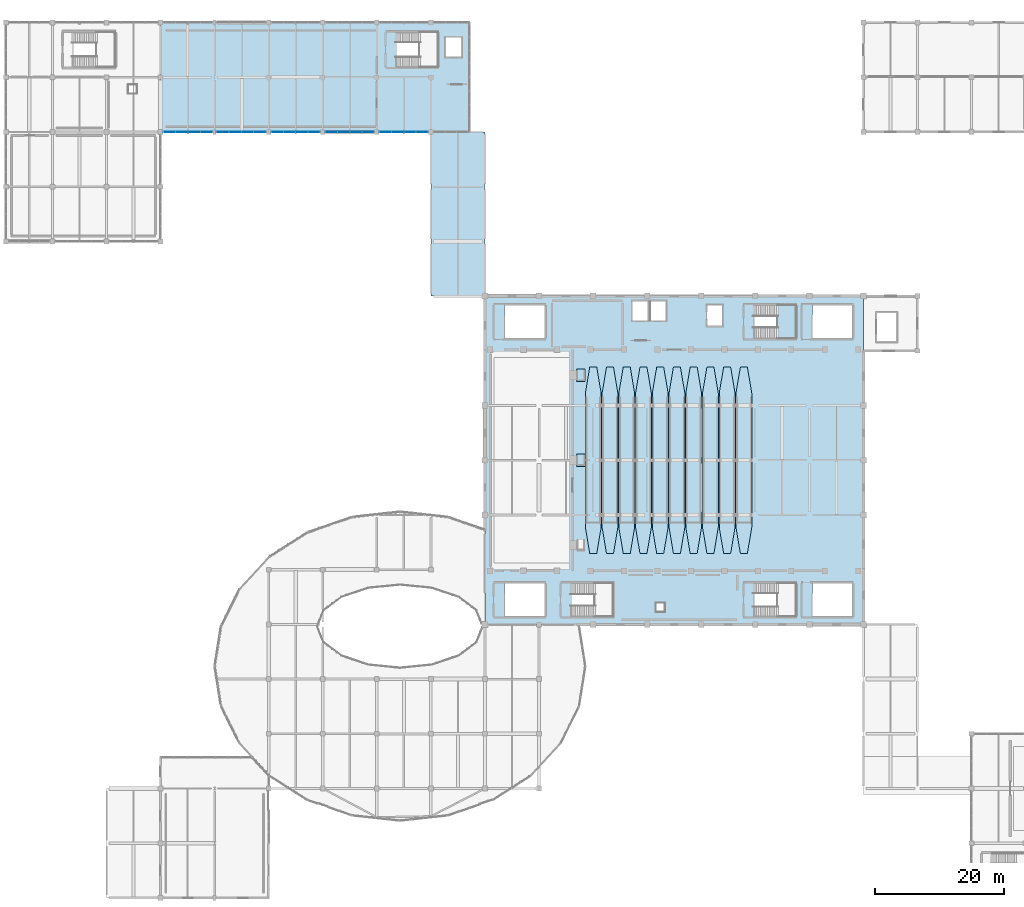
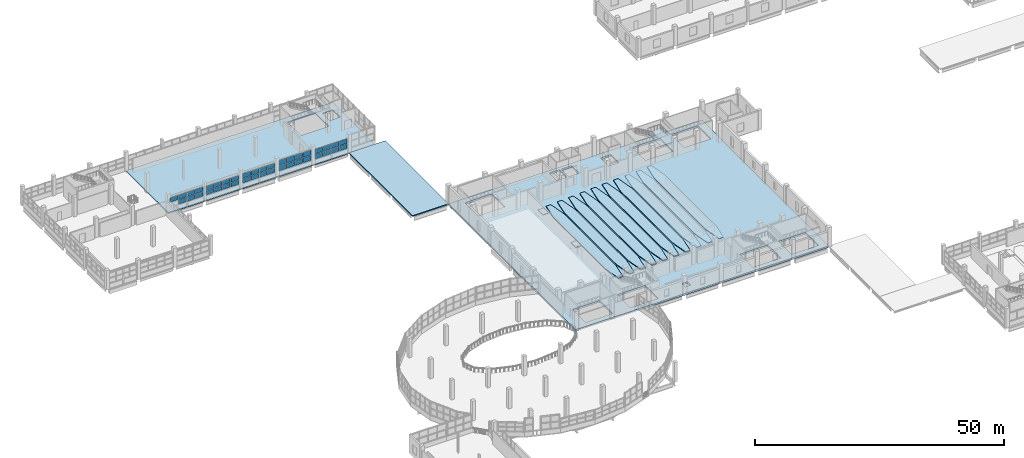
# One storey, part 89 of 117: 39 plates, 16 slabs, 6 elements without a shape of their own.
"""IFC4 building model written with IfcOpenShell, lengths in metres."""

import ifcopenshell
import ifcopenshell.guid

model = None  # the IFC model being written
_history = None  # IfcOwnerHistory: only IFC2X3 demands one
_inside = {}  # id of a spatial element -> (the spatial element, [elements in it])
_under = {}  # id of a project, library or spatial element -> (it, [spatial elements below it])
_declared = {}  # id of a project -> (the project, [libraries it declares])
_typed = {}  # id of a type object -> (the type object, [elements of that type])
_made_of = {}  # id of a material, layer set ... -> (it, [elements and type objects made of it])


def new_model(schema):
    """Start an empty IFC model of exactly this schema.

    Asked for "IFC4X3", IfcOpenShell would pick the latest addendum, in which some entities
    have other attributes; the version numbers below select the first issue.
    IFC2X3 requires an IfcOwnerHistory on every rooted entity: one is made here for all.
    """
    global model, _history
    if schema == "IFC4X3":
        model = ifcopenshell.file(schema_version=(4, 3, 0, 0))
    else:
        model = ifcopenshell.file(schema=schema)
    _inside.clear()
    _under.clear()
    _declared.clear()
    _typed.clear()
    _made_of.clear()
    _history = None
    if model.schema == "IFC2X3":
        org = make("IfcOrganization", Name="unknown")
        user = make(
            "IfcPersonAndOrganization",
            ThePerson=make("IfcPerson", FamilyName="unknown"),
            TheOrganization=org,
        )
        app = make(
            "IfcApplication",
            ApplicationDeveloper=org,
            Version="unknown",
            ApplicationFullName="unknown",
            ApplicationIdentifier="unknown",
        )
        _history = make(
            "IfcOwnerHistory",
            OwningUser=user,
            OwningApplication=app,
            ChangeAction="ADDED",
            CreationDate=0,
        )
    return model


def make(cls, **values):
    """One entity of the class cls with the attributes given. An attribute that is None is left unset."""
    return model.create_entity(
        cls, **{name: value for name, value in values.items() if value is not None}
    )


def rooted(cls, **values):
    """An entity with a GlobalId (a new one), such as an element, a storey or a relation."""
    return make(cls, GlobalId=ifcopenshell.guid.new(), OwnerHistory=_history, **values)


def si_unit(unit_type, name, prefix=None):
    """IfcSIUnit, for example si_unit("LENGTHUNIT", "METRE", prefix="MILLI")."""
    return make("IfcSIUnit", UnitType=unit_type, Prefix=prefix, Name=name)


def assignment(units):
    """IfcUnitAssignment: the units of a project."""
    return None if units is None else make("IfcUnitAssignment", Units=units)


def point(xyz):
    """IfcCartesianPoint."""
    return None if xyz is None else make("IfcCartesianPoint", Coordinates=xyz)


def direction(xyz):
    """IfcDirection."""
    return None if xyz is None else make("IfcDirection", DirectionRatios=xyz)


def frame(location, z_axis=None, x_axis=None):
    """IfcAxis2Placement3D, a coordinate frame: its origin and axes. An axis left out is left unset."""
    return make(
        "IfcAxis2Placement3D",
        Location=point(location),
        Axis=direction(z_axis),
        RefDirection=direction(x_axis),
    )


def frame_2d(location, x_axis=None):
    """IfcAxis2Placement2D, a coordinate frame in the plane: its origin and x axis."""
    return make(
        "IfcAxis2Placement2D", Location=point(location), RefDirection=direction(x_axis)
    )


def origin():
    """The frame at (0, 0, 0) with its axes left unset."""
    return frame((0.0, 0.0, 0.0))


def origin_2d():
    """The frame at (0, 0) in the plane with its x axis left unset."""
    return frame_2d((0.0, 0.0))


def place(relative_to, where):
    """IfcLocalPlacement: puts the frame where relative to a parent placement (None: the world)."""
    return make(
        "IfcLocalPlacement", PlacementRelTo=relative_to, RelativePlacement=where
    )


def context(
    kind, dimensions, precision=None, world=None, true_north=None, identifier=None
):
    """IfcGeometricRepresentationContext, for example the 3D "Model" context."""
    return make(
        "IfcGeometricRepresentationContext",
        ContextIdentifier=identifier,
        ContextType=kind,
        CoordinateSpaceDimension=dimensions,
        Precision=precision,
        WorldCoordinateSystem=world,
        TrueNorth=true_north,
    )


def subcontext(parent, identifier, kind, view, scale=None):
    """IfcGeometricRepresentationSubContext, for example "Body" below "Model"."""
    return make(
        "IfcGeometricRepresentationSubContext",
        ContextIdentifier=identifier,
        ContextType=kind,
        ParentContext=parent,
        TargetScale=scale,
        TargetView=view,
    )


def project(units=None, contexts=None):
    """IfcProject with its units and contexts."""
    return rooted(
        "IfcProject",
        Name="project",
        RepresentationContexts=contexts,
        UnitsInContext=assignment(units),
    )


def spatial(cls, under=None, at=None, **own):
    """A site, building, storey or space (cls), placed at a placement, below another one or the project."""
    s = rooted(cls, ObjectPlacement=at, **own)
    if under is not None:
        _under.setdefault(under.id(), (under, []))[1].append(s)
    return s


def polyline(points):
    """IfcPolyline through the points."""
    return make("IfcPolyline", Points=[point(p) for p in points])


def profile(cls, at=None, kind="AREA", **sizes):
    """A parametric profile (cls). Its sizes go by their IFC names, for example OverallWidth=200.0."""
    return make(cls, ProfileType=kind, Position=at, **sizes)


def rectangle(**sizes):
    """IfcRectangleProfileDef."""
    return profile("IfcRectangleProfileDef", **sizes)


def outline(outer, holes=None, kind="AREA"):
    """IfcArbitraryClosedProfileDef: a profile drawn as a closed curve; with holes, ...WithVoids."""
    if holes is None:
        return make("IfcArbitraryClosedProfileDef", ProfileType=kind, OuterCurve=outer)
    return make(
        "IfcArbitraryProfileDefWithVoids",
        ProfileType=kind,
        OuterCurve=outer,
        InnerCurves=holes,
    )


def extrude(swept, where, along, depth):
    """IfcExtrudedAreaSolid: the profile swept, set in the frame where, extruded along a direction by depth."""
    return make(
        "IfcExtrudedAreaSolid",
        SweptArea=swept,
        Position=where,
        ExtrudedDirection=direction(along),
        Depth=depth,
    )


def shape(context_of_items, identifier, shape_type, items):
    """IfcShapeRepresentation: the items that make up one representation, for example the "Body"."""
    return make(
        "IfcShapeRepresentation",
        ContextOfItems=context_of_items,
        RepresentationIdentifier=identifier,
        RepresentationType=shape_type,
        Items=items,
    )


def material(Name=None, Category=None):
    """IfcMaterial."""
    return make("IfcMaterial", Name=Name, Category=Category)


def layer(
    of_material, thickness, ventilated=None, Name=None, Category=None, Priority=None
):
    """IfcMaterialLayer: one layer of a wall or slab, of a material (None: an air gap)."""
    return make(
        "IfcMaterialLayer",
        Material=of_material,
        LayerThickness=thickness,
        IsVentilated=ventilated,
        Name=Name,
        Category=Category,
        Priority=Priority,
    )


def layer_set(layers, Name=None):
    """IfcMaterialLayerSet."""
    return make("IfcMaterialLayerSet", MaterialLayers=layers, LayerSetName=Name)


def made_of(thing, what):
    """Note that an element or type object is made of a material, layer set ...; save() writes the relation."""
    if what is not None:
        _made_of.setdefault(what.id(), (what, []))[1].append(thing)
    return thing


def type_object(cls, material=None, **own):
    """A type object (cls), such as IfcWallType, which elements share."""
    return made_of(rooted(cls, **own), material)


def element(
    cls,
    number,
    at=None,
    inside=None,
    cuts=None,
    type_object=None,
    material=None,
    context=None,
    identifier="Body",
    shape_type=None,
    held_by="IfcProductDefinitionShape",
    body=None,
    shapes=None,
    **own,
):
    """One element of the class cls, such as IfcWall. Its Tag is "e" and its number.

    at: its placement. inside: the storey or other place that contains it. cuts: it is an
    opening in that element (IfcRelVoidsElement). A single representation is given by context,
    identifier, shape_type and body (its items); several are given by shapes. held_by: the class
    of the entity that holds the representations. save() writes the other relations.
    """
    e = rooted(cls, Tag="e%d" % number, ObjectPlacement=at, **own)
    if body is not None:
        shapes = [shape(context, identifier, shape_type, body)]
    if shapes is not None:
        e.Representation = make(held_by, Representations=shapes)
    if inside is not None:
        _inside.setdefault(inside.id(), (inside, []))[1].append(e)
    if cuts is not None:
        rooted(
            "IfcRelVoidsElement", RelatingBuildingElement=cuts, RelatedOpeningElement=e
        )
    if type_object is not None:
        _typed.setdefault(type_object.id(), (type_object, []))[1].append(e)
    return made_of(e, material)


def aggregate(whole, parts):
    """IfcRelAggregates: a whole, such as a stair, and the parts it consists of."""
    return rooted("IfcRelAggregates", RelatingObject=whole, RelatedObjects=parts)


def save(model, path):
    """Write the relations noted so far, then the file.

    IfcRelAggregates (storeys below a building ...), IfcRelContainedInSpatialStructure (elements
    in a storey), IfcRelDefinesByType, IfcRelAssociatesMaterial and IfcRelDeclares: one each for
    every whole, place, type object, material and project.
    """
    for whole, parts in _under.values():
        aggregate(whole, parts)
    for where, things in _inside.values():
        rooted(
            "IfcRelContainedInSpatialStructure",
            RelatedElements=things,
            RelatingStructure=where,
        )
    for kind, things in _typed.values():
        rooted("IfcRelDefinesByType", RelatedObjects=things, RelatingType=kind)
    for what, things in _made_of.values():
        rooted("IfcRelAssociatesMaterial", RelatedObjects=things, RelatingMaterial=what)
    for by, libraries in _declared.values():
        rooted("IfcRelDeclares", RelatingContext=by, RelatedDefinitions=libraries)
    model.write(path)


model = new_model("IFC4")

# Units and contexts
model_context = context("Model", 3, precision=1e-05, world=origin(), true_north=direction((0.0, 1.0)))
body_context = subcontext(model_context, "Body", "Model", "MODEL_VIEW")
ifc_project = project(units=[si_unit("LENGTHUNIT", "METRE"), si_unit("AREAUNIT", "SQUARE_METRE"), si_unit("VOLUMEUNIT", "CUBIC_METRE"), si_unit("PLANEANGLEUNIT", "RADIAN"), si_unit("MASSUNIT", "GRAM", prefix="KILO")], contexts=[model_context])

# Site, building, storey
site_placement = place(None, origin())
site = spatial("IfcSite", under=ifc_project, at=site_placement, CompositionType="ELEMENT")
building_placement = place(site_placement, origin())
building = spatial("IfcBuilding", under=site, at=building_placement, Name="Solvento Point Concert Hall", CompositionType="ELEMENT")
storey_placement = place(building_placement, frame((0.0, 0.0, 5.39990234375)))
storey = spatial("IfcBuildingStorey", under=building, at=storey_placement, Name="L01", CompositionType="ELEMENT", Elevation=5.39990234375)

# Curtain wall, plates
ifc_material_1 = material(Name="Anodized Bronze Aluminium", Category="aluminium")
curtain_wall_type = type_object("IfcCurtainWallType", Name="CurtainWall_CourtPilotis", PredefinedType="USERDEFINED", material=ifc_material_1)
curtain_wall_1_placement = place(storey_placement, origin())
curtain_wall_1 = element("IfcCurtainWall", 1, at=curtain_wall_1_placement, inside=storey, type_object=curtain_wall_type, Name="Unitised curtain wall CW-96 UCW-L01-134", ObjectType="UNITISED CURTAIN WALL", PredefinedType="USERDEFINED")
ifc_material_2 = material(Name="Hurricane Laminated Low-E Glass", Category="glass")
plate_type = type_object("IfcPlateType", Name="CurtainPanel_CourtPilotis", PredefinedType="CURTAIN_PANEL", material=ifc_material_2)
plate_1_placement = place(storey_placement, frame((25.384521484375, 119.0, 2.41357421875), z_axis=(0.0, 0.0, 1.0), x_axis=(1.0, 0.0, 0.0)))
plate_1 = element("IfcPlate", 2, at=plate_1_placement, type_object=plate_type, Name="Glazed curtain panel GL-06", PredefinedType="CURTAIN_PANEL", context=body_context, shape_type="SweptSolid", body=[
    extrude(rectangle(XDim=1.798828125, YDim=0.030029296875, at=origin_2d()), origin(), (0.0, 0.0, 1.0), 1.053466796875),
])
plate_2_placement = place(storey_placement, frame((27.302978515625, 119.0, 1.240234375), z_axis=(0.0, 0.0, 1.0), x_axis=(1.0, 0.0, 0.0)))
plate_2 = element("IfcPlate", 3, at=plate_2_placement, type_object=plate_type, Name="Glazed curtain panel GL-06", PredefinedType="CURTAIN_PANEL", context=body_context, shape_type="SweptSolid", body=[
    extrude(rectangle(XDim=1.798828125, YDim=0.030029296875, at=origin_2d()), origin(), (0.0, 0.0, 1.0), 1.053466796875),
])
plate_3_placement = place(storey_placement, frame((27.302978515625, 119.0, 2.41357421875), z_axis=(0.0, 0.0, 1.0), x_axis=(1.0, 0.0, 0.0)))
plate_3 = element("IfcPlate", 4, at=plate_3_placement, type_object=plate_type, Name="Glazed curtain panel GL-06", PredefinedType="CURTAIN_PANEL", context=body_context, shape_type="SweptSolid", body=[
    extrude(rectangle(XDim=1.798828125, YDim=0.030029296875, at=origin_2d()), origin(), (0.0, 0.0, 1.0), 1.053466796875),
])
plate_4_placement = place(storey_placement, frame((29.221923828125, 119.0, 1.240234375), z_axis=(0.0, 0.0, 1.0), x_axis=(1.0, 0.0, 0.0)))
plate_4 = element("IfcPlate", 5, at=plate_4_placement, type_object=plate_type, Name="Glazed curtain panel GL-06", PredefinedType="CURTAIN_PANEL", context=body_context, shape_type="SweptSolid", body=[
    extrude(rectangle(XDim=1.798828125, YDim=0.030029296875, at=origin_2d()), origin(), (0.0, 0.0, 1.0), 1.053466796875),
])
plate_5_placement = place(storey_placement, frame((29.221923828125, 119.0, 2.41357421875), z_axis=(0.0, 0.0, 1.0), x_axis=(1.0, 0.0, 0.0)))
plate_5 = element("IfcPlate", 6, at=plate_5_placement, type_object=plate_type, Name="Glazed curtain panel GL-06", PredefinedType="CURTAIN_PANEL", context=body_context, shape_type="SweptSolid", body=[
    extrude(rectangle(XDim=1.798828125, YDim=0.030029296875, at=origin_2d()), origin(), (0.0, 0.0, 1.0), 1.053466796875),
])
plate_6_placement = place(storey_placement, frame((31.140625, 119.0, 1.240234375), z_axis=(0.0, 0.0, 1.0), x_axis=(1.0, 0.0, 0.0)))
plate_6 = element("IfcPlate", 7, at=plate_6_placement, type_object=plate_type, Name="Glazed curtain panel GL-06", PredefinedType="CURTAIN_PANEL", context=body_context, shape_type="SweptSolid", body=[
    extrude(rectangle(XDim=1.798828125, YDim=0.030029296875, at=origin_2d()), origin(), (0.0, 0.0, 1.0), 1.053466796875),
])
plate_7_placement = place(storey_placement, frame((31.140625, 119.0, 2.41357421875), z_axis=(0.0, 0.0, 1.0), x_axis=(1.0, 0.0, 0.0)))
plate_7 = element("IfcPlate", 8, at=plate_7_placement, type_object=plate_type, Name="Glazed curtain panel GL-06", PredefinedType="CURTAIN_PANEL", context=body_context, shape_type="SweptSolid", body=[
    extrude(rectangle(XDim=1.798828125, YDim=0.030029296875, at=origin_2d()), origin(), (0.0, 0.0, 1.0), 1.053466796875),
])
aggregate(curtain_wall_1, [plate_1, plate_2, plate_3, plate_4, plate_5, plate_6, plate_7])

curtain_wall_2_placement = place(storey_placement, origin())
curtain_wall_2 = element("IfcCurtainWall", 9, at=curtain_wall_2_placement, inside=storey, type_object=curtain_wall_type, Name="Unitised curtain wall CW-96 UCW-L01-135", ObjectType="UNITISED CURTAIN WALL", PredefinedType="USERDEFINED")
plate_8_placement = place(storey_placement, frame((33.659423828125, 119.0, 1.240234375), z_axis=(0.0, 0.0, 1.0), x_axis=(1.0, 0.0, 0.0)))
plate_8 = element("IfcPlate", 10, at=plate_8_placement, type_object=plate_type, Name="Glazed curtain panel GL-06", PredefinedType="CURTAIN_PANEL", context=body_context, shape_type="SweptSolid", body=[
    extrude(rectangle(XDim=1.798583984375, YDim=0.030029296875, at=origin_2d()), origin(), (0.0, 0.0, 1.0), 1.00390625),
])
plate_9_placement = place(storey_placement, frame((33.659423828125, 119.0, 2.3642578125), z_axis=(0.0, 0.0, 1.0), x_axis=(1.0, 0.0, 0.0)))
plate_9 = element("IfcPlate", 11, at=plate_9_placement, type_object=plate_type, Name="Glazed curtain panel GL-06", PredefinedType="CURTAIN_PANEL", context=body_context, shape_type="SweptSolid", body=[
    extrude(rectangle(XDim=1.798583984375, YDim=0.030029296875, at=origin_2d()), origin(), (0.0, 0.0, 1.0), 1.00390625),
])
plate_10_placement = place(storey_placement, frame((35.578125, 119.0, 1.240234375), z_axis=(0.0, 0.0, 1.0), x_axis=(1.0, 0.0, 0.0)))
plate_10 = element("IfcPlate", 12, at=plate_10_placement, type_object=plate_type, Name="Glazed curtain panel GL-06", PredefinedType="CURTAIN_PANEL", context=body_context, shape_type="SweptSolid", body=[
    extrude(rectangle(XDim=1.798583984375, YDim=0.030029296875, at=origin_2d()), origin(), (0.0, 0.0, 1.0), 1.00390625),
])
plate_11_placement = place(storey_placement, frame((35.578125, 119.0, 2.3642578125), z_axis=(0.0, 0.0, 1.0), x_axis=(1.0, 0.0, 0.0)))
plate_11 = element("IfcPlate", 13, at=plate_11_placement, type_object=plate_type, Name="Glazed curtain panel GL-06", PredefinedType="CURTAIN_PANEL", context=body_context, shape_type="SweptSolid", body=[
    extrude(rectangle(XDim=1.798583984375, YDim=0.030029296875, at=origin_2d()), origin(), (0.0, 0.0, 1.0), 1.00390625),
])
plate_12_placement = place(storey_placement, frame((37.496826171875, 119.0, 1.240234375), z_axis=(0.0, 0.0, 1.0), x_axis=(1.0, 0.0, 0.0)))
plate_12 = element("IfcPlate", 14, at=plate_12_placement, type_object=plate_type, Name="Glazed curtain panel GL-06", PredefinedType="CURTAIN_PANEL", context=body_context, shape_type="SweptSolid", body=[
    extrude(rectangle(XDim=1.798583984375, YDim=0.030029296875, at=origin_2d()), origin(), (0.0, 0.0, 1.0), 1.00390625),
])
plate_13_placement = place(storey_placement, frame((37.496826171875, 119.0, 2.3642578125), z_axis=(0.0, 0.0, 1.0), x_axis=(1.0, 0.0, 0.0)))
plate_13 = element("IfcPlate", 15, at=plate_13_placement, type_object=plate_type, Name="Glazed curtain panel GL-06", PredefinedType="CURTAIN_PANEL", context=body_context, shape_type="SweptSolid", body=[
    extrude(rectangle(XDim=1.798583984375, YDim=0.030029296875, at=origin_2d()), origin(), (0.0, 0.0, 1.0), 1.00390625),
])
plate_14_placement = place(storey_placement, frame((39.41552734375, 119.0, 1.240234375), z_axis=(0.0, 0.0, 1.0), x_axis=(1.0, 0.0, 0.0)))
plate_14 = element("IfcPlate", 16, at=plate_14_placement, type_object=plate_type, Name="Glazed curtain panel GL-06", PredefinedType="CURTAIN_PANEL", context=body_context, shape_type="SweptSolid", body=[
    extrude(rectangle(XDim=1.798583984375, YDim=0.030029296875, at=origin_2d()), origin(), (0.0, 0.0, 1.0), 1.00390625),
])
plate_15_placement = place(storey_placement, frame((39.41552734375, 119.0, 2.3642578125), z_axis=(0.0, 0.0, 1.0), x_axis=(1.0, 0.0, 0.0)))
plate_15 = element("IfcPlate", 17, at=plate_15_placement, type_object=plate_type, Name="Glazed curtain panel GL-06", PredefinedType="CURTAIN_PANEL", context=body_context, shape_type="SweptSolid", body=[
    extrude(rectangle(XDim=1.798583984375, YDim=0.030029296875, at=origin_2d()), origin(), (0.0, 0.0, 1.0), 1.00390625),
])
aggregate(curtain_wall_2, [plate_8, plate_9, plate_10, plate_11, plate_12, plate_13, plate_14, plate_15])

curtain_wall_3_placement = place(storey_placement, origin())
curtain_wall_3 = element("IfcCurtainWall", 18, at=curtain_wall_3_placement, inside=storey, type_object=curtain_wall_type, Name="Unitised curtain wall CW-96 UCW-L01-136", ObjectType="UNITISED CURTAIN WALL", PredefinedType="USERDEFINED")
plate_16_placement = place(storey_placement, frame((42.168701171875, 119.0, 1.240234375), z_axis=(0.0, 0.0, 1.0), x_axis=(1.0, 0.0, 0.0)))
plate_16 = element("IfcPlate", 19, at=plate_16_placement, type_object=plate_type, Name="Glazed curtain panel GL-06", PredefinedType="CURTAIN_PANEL", context=body_context, shape_type="SweptSolid", body=[
    extrude(rectangle(XDim=1.767578125, YDim=0.030029296875, at=origin_2d()), origin(), (0.0, 0.0, 1.0), 1.056884765625),
])
plate_17_placement = place(storey_placement, frame((42.168701171875, 119.0, 2.4169921875), z_axis=(0.0, 0.0, 1.0), x_axis=(1.0, 0.0, 0.0)))
plate_17 = element("IfcPlate", 20, at=plate_17_placement, type_object=plate_type, Name="Glazed curtain panel GL-06", PredefinedType="CURTAIN_PANEL", context=body_context, shape_type="SweptSolid", body=[
    extrude(rectangle(XDim=1.767578125, YDim=0.030029296875, at=origin_2d()), origin(), (0.0, 0.0, 1.0), 1.056884765625),
])
plate_18_placement = place(storey_placement, frame((44.05615234375, 119.0, 1.240234375), z_axis=(0.0, 0.0, 1.0), x_axis=(1.0, 0.0, 0.0)))
plate_18 = element("IfcPlate", 21, at=plate_18_placement, type_object=plate_type, Name="Glazed curtain panel GL-06", PredefinedType="CURTAIN_PANEL", context=body_context, shape_type="SweptSolid", body=[
    extrude(rectangle(XDim=1.767578125, YDim=0.030029296875, at=origin_2d()), origin(), (0.0, 0.0, 1.0), 1.056884765625),
])
plate_19_placement = place(storey_placement, frame((44.05615234375, 119.0, 2.4169921875), z_axis=(0.0, 0.0, 1.0), x_axis=(1.0, 0.0, 0.0)))
plate_19 = element("IfcPlate", 22, at=plate_19_placement, type_object=plate_type, Name="Glazed curtain panel GL-06", PredefinedType="CURTAIN_PANEL", context=body_context, shape_type="SweptSolid", body=[
    extrude(rectangle(XDim=1.767578125, YDim=0.030029296875, at=origin_2d()), origin(), (0.0, 0.0, 1.0), 1.056884765625),
])
plate_20_placement = place(storey_placement, frame((45.94384765625, 119.0, 1.240234375), z_axis=(0.0, 0.0, 1.0), x_axis=(1.0, 0.0, 0.0)))
plate_20 = element("IfcPlate", 23, at=plate_20_placement, type_object=plate_type, Name="Glazed curtain panel GL-06", PredefinedType="CURTAIN_PANEL", context=body_context, shape_type="SweptSolid", body=[
    extrude(rectangle(XDim=1.767578125, YDim=0.030029296875, at=origin_2d()), origin(), (0.0, 0.0, 1.0), 1.056884765625),
])
plate_21_placement = place(storey_placement, frame((45.94384765625, 119.0, 2.4169921875), z_axis=(0.0, 0.0, 1.0), x_axis=(1.0, 0.0, 0.0)))
plate_21 = element("IfcPlate", 24, at=plate_21_placement, type_object=plate_type, Name="Glazed curtain panel GL-06", PredefinedType="CURTAIN_PANEL", context=body_context, shape_type="SweptSolid", body=[
    extrude(rectangle(XDim=1.767578125, YDim=0.030029296875, at=origin_2d()), origin(), (0.0, 0.0, 1.0), 1.056884765625),
])
plate_22_placement = place(storey_placement, frame((47.831298828125, 119.0, 1.240234375), z_axis=(0.0, 0.0, 1.0), x_axis=(1.0, 0.0, 0.0)))
plate_22 = element("IfcPlate", 25, at=plate_22_placement, type_object=plate_type, Name="Glazed curtain panel GL-06", PredefinedType="CURTAIN_PANEL", context=body_context, shape_type="SweptSolid", body=[
    extrude(rectangle(XDim=1.767578125, YDim=0.030029296875, at=origin_2d()), origin(), (0.0, 0.0, 1.0), 1.056884765625),
])
plate_23_placement = place(storey_placement, frame((47.831298828125, 119.0, 2.4169921875), z_axis=(0.0, 0.0, 1.0), x_axis=(1.0, 0.0, 0.0)))
plate_23 = element("IfcPlate", 26, at=plate_23_placement, type_object=plate_type, Name="Glazed curtain panel GL-06", PredefinedType="CURTAIN_PANEL", context=body_context, shape_type="SweptSolid", body=[
    extrude(rectangle(XDim=1.767578125, YDim=0.030029296875, at=origin_2d()), origin(), (0.0, 0.0, 1.0), 1.056884765625),
])
aggregate(curtain_wall_3, [plate_16, plate_17, plate_18, plate_19, plate_20, plate_21, plate_22, plate_23])

curtain_wall_4_placement = place(storey_placement, origin())
curtain_wall_4 = element("IfcCurtainWall", 27, at=curtain_wall_4_placement, inside=storey, type_object=curtain_wall_type, Name="Unitised curtain wall CW-96 UCW-L01-137", ObjectType="UNITISED CURTAIN WALL", PredefinedType="USERDEFINED")
plate_24_placement = place(storey_placement, frame((50.56884765625, 119.0, 1.240234375), z_axis=(0.0, 0.0, 1.0), x_axis=(1.0, 0.0, 0.0)))
plate_24 = element("IfcPlate", 28, at=plate_24_placement, type_object=plate_type, Name="Glazed curtain panel GL-06", PredefinedType="CURTAIN_PANEL", context=body_context, shape_type="SweptSolid", body=[
    extrude(rectangle(XDim=1.767578125, YDim=0.030029296875, at=origin_2d()), origin(), (0.0, 0.0, 1.0), 1.212890625),
])
plate_25_placement = place(storey_placement, frame((50.56884765625, 119.0, 2.5732421875), z_axis=(0.0, 0.0, 1.0), x_axis=(1.0, 0.0, 0.0)))
plate_25 = element("IfcPlate", 29, at=plate_25_placement, type_object=plate_type, Name="Glazed curtain panel GL-06", PredefinedType="CURTAIN_PANEL", context=body_context, shape_type="SweptSolid", body=[
    extrude(rectangle(XDim=1.767578125, YDim=0.030029296875, at=origin_2d()), origin(), (0.0, 0.0, 1.0), 1.212890625),
])
plate_26_placement = place(storey_placement, frame((52.456298828125, 119.0, 1.240234375), z_axis=(0.0, 0.0, 1.0), x_axis=(1.0, 0.0, 0.0)))
plate_26 = element("IfcPlate", 30, at=plate_26_placement, type_object=plate_type, Name="Glazed curtain panel GL-06", PredefinedType="CURTAIN_PANEL", context=body_context, shape_type="SweptSolid", body=[
    extrude(rectangle(XDim=1.767578125, YDim=0.030029296875, at=origin_2d()), origin(), (0.0, 0.0, 1.0), 1.212890625),
])
plate_27_placement = place(storey_placement, frame((52.456298828125, 119.0, 2.5732421875), z_axis=(0.0, 0.0, 1.0), x_axis=(1.0, 0.0, 0.0)))
plate_27 = element("IfcPlate", 31, at=plate_27_placement, type_object=plate_type, Name="Glazed curtain panel GL-06", PredefinedType="CURTAIN_PANEL", context=body_context, shape_type="SweptSolid", body=[
    extrude(rectangle(XDim=1.767578125, YDim=0.030029296875, at=origin_2d()), origin(), (0.0, 0.0, 1.0), 1.212890625),
])
plate_28_placement = place(storey_placement, frame((54.34375, 119.0, 1.240234375), z_axis=(0.0, 0.0, 1.0), x_axis=(1.0, 0.0, 0.0)))
plate_28 = element("IfcPlate", 32, at=plate_28_placement, type_object=plate_type, Name="Glazed curtain panel GL-06", PredefinedType="CURTAIN_PANEL", context=body_context, shape_type="SweptSolid", body=[
    extrude(rectangle(XDim=1.767578125, YDim=0.030029296875, at=origin_2d()), origin(), (0.0, 0.0, 1.0), 1.212890625),
])
plate_29_placement = place(storey_placement, frame((54.34375, 119.0, 2.5732421875), z_axis=(0.0, 0.0, 1.0), x_axis=(1.0, 0.0, 0.0)))
plate_29 = element("IfcPlate", 33, at=plate_29_placement, type_object=plate_type, Name="Glazed curtain panel GL-06", PredefinedType="CURTAIN_PANEL", context=body_context, shape_type="SweptSolid", body=[
    extrude(rectangle(XDim=1.767578125, YDim=0.030029296875, at=origin_2d()), origin(), (0.0, 0.0, 1.0), 1.212890625),
])
plate_30_placement = place(storey_placement, frame((56.231201171875, 119.0, 1.240234375), z_axis=(0.0, 0.0, 1.0), x_axis=(1.0, 0.0, 0.0)))
plate_30 = element("IfcPlate", 34, at=plate_30_placement, type_object=plate_type, Name="Glazed curtain panel GL-06", PredefinedType="CURTAIN_PANEL", context=body_context, shape_type="SweptSolid", body=[
    extrude(rectangle(XDim=1.767578125, YDim=0.030029296875, at=origin_2d()), origin(), (0.0, 0.0, 1.0), 1.212890625),
])
plate_31_placement = place(storey_placement, frame((56.231201171875, 119.0, 2.5732421875), z_axis=(0.0, 0.0, 1.0), x_axis=(1.0, 0.0, 0.0)))
plate_31 = element("IfcPlate", 35, at=plate_31_placement, type_object=plate_type, Name="Glazed curtain panel GL-06", PredefinedType="CURTAIN_PANEL", context=body_context, shape_type="SweptSolid", body=[
    extrude(rectangle(XDim=1.767578125, YDim=0.030029296875, at=origin_2d()), origin(), (0.0, 0.0, 1.0), 1.212890625),
])
aggregate(curtain_wall_4, [plate_24, plate_25, plate_26, plate_27, plate_28, plate_29, plate_30, plate_31])

curtain_wall_5_placement = place(storey_placement, origin())
curtain_wall_5 = element("IfcCurtainWall", 36, at=curtain_wall_5_placement, inside=storey, type_object=curtain_wall_type, Name="Unitised curtain wall CW-96 UCW-L01-138", ObjectType="UNITISED CURTAIN WALL", PredefinedType="USERDEFINED")
plate_32_placement = place(storey_placement, frame((58.96875, 119.0, 1.240234375), z_axis=(0.0, 0.0, 1.0), x_axis=(1.0, 0.0, 0.0)))
plate_32 = element("IfcPlate", 37, at=plate_32_placement, type_object=plate_type, Name="Glazed curtain panel GL-06", PredefinedType="CURTAIN_PANEL", context=body_context, shape_type="SweptSolid", body=[
    extrude(rectangle(XDim=1.767578125, YDim=0.030029296875, at=origin_2d()), origin(), (0.0, 0.0, 1.0), 1.126953125),
])
plate_33_placement = place(storey_placement, frame((58.96875, 119.0, 2.487060546875), z_axis=(0.0, 0.0, 1.0), x_axis=(1.0, 0.0, 0.0)))
plate_33 = element("IfcPlate", 38, at=plate_33_placement, type_object=plate_type, Name="Glazed curtain panel GL-06", PredefinedType="CURTAIN_PANEL", context=body_context, shape_type="SweptSolid", body=[
    extrude(rectangle(XDim=1.767578125, YDim=0.030029296875, at=origin_2d()), origin(), (0.0, 0.0, 1.0), 1.126953125),
])
plate_34_placement = place(storey_placement, frame((60.856201171875, 119.0, 1.240234375), z_axis=(0.0, 0.0, 1.0), x_axis=(1.0, 0.0, 0.0)))
plate_34 = element("IfcPlate", 39, at=plate_34_placement, type_object=plate_type, Name="Glazed curtain panel GL-06", PredefinedType="CURTAIN_PANEL", context=body_context, shape_type="SweptSolid", body=[
    extrude(rectangle(XDim=1.767578125, YDim=0.030029296875, at=origin_2d()), origin(), (0.0, 0.0, 1.0), 1.126953125),
])
plate_35_placement = place(storey_placement, frame((60.856201171875, 119.0, 2.487060546875), z_axis=(0.0, 0.0, 1.0), x_axis=(1.0, 0.0, 0.0)))
plate_35 = element("IfcPlate", 40, at=plate_35_placement, type_object=plate_type, Name="Glazed curtain panel GL-06", PredefinedType="CURTAIN_PANEL", context=body_context, shape_type="SweptSolid", body=[
    extrude(rectangle(XDim=1.767578125, YDim=0.030029296875, at=origin_2d()), origin(), (0.0, 0.0, 1.0), 1.126953125),
])
plate_36_placement = place(storey_placement, frame((62.74365234375, 119.0, 1.240234375), z_axis=(0.0, 0.0, 1.0), x_axis=(1.0, 0.0, 0.0)))
plate_36 = element("IfcPlate", 41, at=plate_36_placement, type_object=plate_type, Name="Glazed curtain panel GL-06", PredefinedType="CURTAIN_PANEL", context=body_context, shape_type="SweptSolid", body=[
    extrude(rectangle(XDim=1.767578125, YDim=0.030029296875, at=origin_2d()), origin(), (0.0, 0.0, 1.0), 1.126953125),
])
plate_37_placement = place(storey_placement, frame((62.74365234375, 119.0, 2.487060546875), z_axis=(0.0, 0.0, 1.0), x_axis=(1.0, 0.0, 0.0)))
plate_37 = element("IfcPlate", 42, at=plate_37_placement, type_object=plate_type, Name="Glazed curtain panel GL-06", PredefinedType="CURTAIN_PANEL", context=body_context, shape_type="SweptSolid", body=[
    extrude(rectangle(XDim=1.767578125, YDim=0.030029296875, at=origin_2d()), origin(), (0.0, 0.0, 1.0), 1.126953125),
])
plate_38_placement = place(storey_placement, frame((64.63134765625, 119.0, 1.240234375), z_axis=(0.0, 0.0, 1.0), x_axis=(1.0, 0.0, 0.0)))
plate_38 = element("IfcPlate", 43, at=plate_38_placement, type_object=plate_type, Name="Glazed curtain panel GL-06", PredefinedType="CURTAIN_PANEL", context=body_context, shape_type="SweptSolid", body=[
    extrude(rectangle(XDim=1.767578125, YDim=0.030029296875, at=origin_2d()), origin(), (0.0, 0.0, 1.0), 1.126953125),
])
plate_39_placement = place(storey_placement, frame((64.63134765625, 119.0, 2.487060546875), z_axis=(0.0, 0.0, 1.0), x_axis=(1.0, 0.0, 0.0)))
plate_39 = element("IfcPlate", 44, at=plate_39_placement, type_object=plate_type, Name="Glazed curtain panel GL-06", PredefinedType="CURTAIN_PANEL", context=body_context, shape_type="SweptSolid", body=[
    extrude(rectangle(XDim=1.767578125, YDim=0.030029296875, at=origin_2d()), origin(), (0.0, 0.0, 1.0), 1.126953125),
])
aggregate(curtain_wall_5, [plate_32, plate_33, plate_34, plate_35, plate_36, plate_37, plate_38, plate_39])

# Slabs
ifc_material_3 = material(Name="Concrete C35/45", Category="concrete")
ifc_layer_1 = layer(ifc_material_3, 0.280029296875)
ifc_layer_set_1 = layer_set([ifc_layer_1], Name="Concrete C35/45")
slab_type_1 = type_object("IfcSlabType", Name="FloorSlab_280", PredefinedType="FLOOR", material=ifc_layer_set_1)
slab_1_placement = place(storey_placement, frame((0.0, 0.0, -0.27978515625)))
element("IfcSlab", 45, at=slab_1_placement, inside=storey, type_object=slab_type_1, Name="Structural slab SL-L01 SLAB-L01-V4N", PredefinedType="FLOOR", context=body_context, shape_type="SweptSolid", body=[
    extrude(outline(polyline([(24.0, 136.0), (72.0, 136.0), (72.0, 119.0), (24.0, 119.0), (24.0, 136.0)]), holes=[polyline([(70.679931640625, 133.679931640625), (68.320068359375, 133.679931640625), (68.320068359375, 130.719970703125), (70.679931640625, 130.719970703125), (70.679931640625, 133.679931640625)]), polyline([(67.10009765625, 129.10009765625), (67.10009765625, 134.5), (60.64990234375, 134.5), (60.64990234375, 129.10009765625), (67.10009765625, 129.10009765625)])]), origin(), (0.0, 0.0, 1.0), 0.27978515625),
])
ifc_material_4 = material(Name="Concrete C40/50", Category="concrete")
ifc_layer_2 = layer(ifc_material_4, 0.419921875)
ifc_layer_set_2 = layer_set([ifc_layer_2], Name="Concrete C40/50")
slab_type_2 = type_object("IfcSlabType", Name="FloorSlab_400_Hall", PredefinedType="FLOOR", material=ifc_layer_set_2)
slab_2_placement = place(storey_placement, frame((0.0, 0.0, -0.419921875)))
element("IfcSlab", 46, at=slab_2_placement, inside=storey, type_object=slab_type_2, Name="Structural slab SL-AC1 SLAB-L01-V1", PredefinedType="FLOOR", context=body_context, shape_type="SweptSolid", body=[
    extrude(outline(polyline([(74.39990234375, 93.5), (133.199951171875, 93.5), (133.199951171875, 42.5), (74.39990234375, 42.5), (74.39990234375, 93.5)]), holes=[polyline([(125.25, 48.89990234375), (125.25, 43.699951171875), (131.5, 43.699951171875), (131.5, 48.89990234375), (125.25, 48.89990234375)]), polyline([(131.5, 86.89990234375), (131.5, 92.10009765625), (125.25, 92.10009765625), (125.25, 86.89990234375), (131.5, 86.89990234375)]), polyline([(122.699951171875, 48.89990234375), (116.25, 48.89990234375), (116.25, 43.699951171875), (122.699951171875, 43.699951171875), (122.699951171875, 48.89990234375)]), polyline([(122.699951171875, 86.89990234375), (122.699951171875, 92.10009765625), (116.25, 92.10009765625), (116.25, 86.89990234375), (122.699951171875, 86.89990234375)]), polyline([(111.280029296875, 92.080078125), (108.919921875, 92.080078125), (108.919921875, 88.919921875), (111.280029296875, 88.919921875), (111.280029296875, 92.080078125)]), polyline([(102.47998046875, 89.719970703125), (102.47998046875, 92.679931640625), (100.1201171875, 92.679931640625), (100.1201171875, 89.719970703125), (102.47998046875, 89.719970703125)]), polyline([(102.300048828125, 45.800048828125), (101.0, 45.800048828125), (101.0, 44.5), (102.300048828125, 44.5), (102.300048828125, 45.800048828125)]), polyline([(99.679931640625, 89.719970703125), (99.679931640625, 92.679931640625), (97.320068359375, 92.679931640625), (97.320068359375, 89.719970703125), (99.679931640625, 89.719970703125)]), polyline([(94.300048828125, 43.699951171875), (94.300048828125, 48.89990234375), (87.85009765625, 48.89990234375), (87.85009765625, 43.699951171875), (94.300048828125, 43.699951171875)]), polyline([(83.699951171875, 43.699951171875), (83.699951171875, 48.89990234375), (77.449951171875, 48.89990234375), (77.449951171875, 43.699951171875), (83.699951171875, 43.699951171875)]), polyline([(83.699951171875, 86.89990234375), (83.699951171875, 92.10009765625), (77.449951171875, 92.10009765625), (77.449951171875, 86.89990234375), (83.699951171875, 86.89990234375)])]), origin(), (0.0, 0.0, 1.0), 0.419921875),
])
ifc_material_5 = material(Name="Concrete C40/50", Category="concrete")
ifc_layer_3 = layer(ifc_material_5, 0.260009765625)
ifc_layer_set_3 = layer_set([ifc_layer_3], Name="Concrete C40/50")
slab_type_3 = type_object("IfcSlabType", Name="RoofFlat_260", PredefinedType="ROOF", material=ifc_layer_set_3)
slab_3_placement = place(storey_placement, frame((0.0, 0.0, -0.260009765625)))
element("IfcSlab", 47, at=slab_3_placement, inside=storey, type_object=slab_type_3, Name="Structural slab RF-DK1 RF-L01-V4L", PredefinedType="ROOF", context=body_context, shape_type="SweptSolid", body=[
    extrude(outline(polyline([(66.0, 93.5), (66.0, 119.0), (74.39990234375, 119.0), (74.39990234375, 93.5), (66.0, 93.5)])), origin(), (0.0, 0.0, 1.0), 0.260009765625),
])
ifc_material_6 = material(Name="Concrete C35/45", Category="concrete")
ifc_layer_4 = layer(ifc_material_6, 0.169921875)
ifc_layer_set_4 = layer_set([ifc_layer_4], Name="Concrete C35/45")
slab_type_4 = type_object("IfcSlabType", Name="SeatingTier_175", PredefinedType="USERDEFINED", material=ifc_layer_set_4)
slab_4_placement = place(storey_placement, frame((0.0, 0.0, 0.190185546875)))
element("IfcSlab", 48, at=slab_4_placement, inside=storey, type_object=slab_type_4, Name="Stand lower stalls tier row 1", ObjectType="SEATING TIER", PredefinedType="USERDEFINED", context=body_context, shape_type="SweptSolid", body=[
    extrude(outline(polyline([(90.68603515625, 53.5), (91.763916015625, 53.5), (92.449951171875, 57.56005859375), (92.449951171875, 78.43994140625), (91.763916015625, 82.5), (90.68603515625, 82.5), (90.0, 78.43994140625), (90.0, 57.56005859375), (90.68603515625, 53.5)])), origin(), (0.0, 0.0, 1.0), 0.169921875),
])
slab_5_placement = place(storey_placement, frame((0.0, 0.0, 0.510009765625)))
element("IfcSlab", 49, at=slab_5_placement, inside=storey, type_object=slab_type_4, Name="Stand lower stalls tier row 3", ObjectType="SEATING TIER", PredefinedType="USERDEFINED", context=body_context, shape_type="SweptSolid", body=[
    extrude(outline(polyline([(95.885986328125, 53.5), (96.964111328125, 53.5), (97.64990234375, 57.56005859375), (97.64990234375, 78.43994140625), (96.964111328125, 82.5), (95.885986328125, 82.5), (95.199951171875, 78.43994140625), (95.199951171875, 57.56005859375), (95.885986328125, 53.5)])), origin(), (0.0, 0.0, 1.0), 0.170166015625),
])
slab_6_placement = place(storey_placement, frame((0.0, 0.0, 0.830078125)))
element("IfcSlab", 50, at=slab_6_placement, inside=storey, type_object=slab_type_4, Name="Stand lower stalls tier row 5", ObjectType="SEATING TIER", PredefinedType="USERDEFINED", context=body_context, shape_type="SweptSolid", body=[
    extrude(outline(polyline([(101.0859375, 53.5), (102.1640625, 53.5), (102.85009765625, 57.56005859375), (102.85009765625, 78.43994140625), (102.1640625, 82.5), (101.0859375, 82.5), (100.39990234375, 78.43994140625), (100.39990234375, 57.56005859375), (101.0859375, 53.5)])), origin(), (0.0, 0.0, 1.0), 0.169921875),
])
slab_7_placement = place(storey_placement, frame((0.0, 0.0, 1.150146484375)))
element("IfcSlab", 51, at=slab_7_placement, inside=storey, type_object=slab_type_4, Name="Stand lower stalls tier row 7", ObjectType="SEATING TIER", PredefinedType="USERDEFINED", context=body_context, shape_type="SweptSolid", body=[
    extrude(outline(polyline([(106.285888671875, 53.5), (107.364013671875, 53.5), (108.050048828125, 57.56005859375), (108.050048828125, 78.43994140625), (107.364013671875, 82.5), (106.285888671875, 82.5), (105.60009765625, 78.43994140625), (105.60009765625, 57.56005859375), (106.285888671875, 53.5)])), origin(), (0.0, 0.0, 1.0), 0.169921875),
])
slab_8_placement = place(storey_placement, frame((0.0, 0.0, 1.47021484375)))
element("IfcSlab", 52, at=slab_8_placement, inside=storey, type_object=slab_type_4, Name="Stand lower stalls tier row 9", ObjectType="SEATING TIER", PredefinedType="USERDEFINED", context=body_context, shape_type="SweptSolid", body=[
    extrude(outline(polyline([(111.486083984375, 53.5), (112.56396484375, 53.5), (113.25, 57.56005859375), (113.25, 78.43994140625), (112.56396484375, 82.5), (111.486083984375, 82.5), (110.800048828125, 78.43994140625), (110.800048828125, 57.56005859375), (111.486083984375, 53.5)])), origin(), (0.0, 0.0, 1.0), 0.169921875),
])
ifc_material_7 = material(Name="Concrete C35/45", Category="concrete")
ifc_layer_5 = layer(ifc_material_7, 0.18994140625)
ifc_layer_set_5 = layer_set([ifc_layer_5], Name="Concrete C35/45")
slab_type_5 = type_object("IfcSlabType", Name="SeatingTier_190", PredefinedType="USERDEFINED", material=ifc_layer_set_5)
slab_9_placement = place(storey_placement, frame((0.0, 0.0, 0.330078125)))
element("IfcSlab", 53, at=slab_9_placement, inside=storey, type_object=slab_type_5, Name="Stand lower stalls tier row 2", ObjectType="SEATING TIER", PredefinedType="USERDEFINED", context=body_context, shape_type="SweptSolid", body=[
    extrude(outline(polyline([(93.285888671875, 53.5), (94.364013671875, 53.5), (95.050048828125, 57.56005859375), (95.050048828125, 78.43994140625), (94.364013671875, 82.5), (93.285888671875, 82.5), (92.60009765625, 78.43994140625), (92.60009765625, 57.56005859375), (93.285888671875, 53.5)])), origin(), (0.0, 0.0, 1.0), 0.18994140625),
])
slab_10_placement = place(storey_placement, frame((0.0, 0.0, 0.650146484375)))
element("IfcSlab", 54, at=slab_10_placement, inside=storey, type_object=slab_type_5, Name="Stand lower stalls tier row 4", ObjectType="SEATING TIER", PredefinedType="USERDEFINED", context=body_context, shape_type="SweptSolid", body=[
    extrude(outline(polyline([(98.486083984375, 53.5), (99.56396484375, 53.5), (100.25, 57.56005859375), (100.25, 78.43994140625), (99.56396484375, 82.5), (98.486083984375, 82.5), (97.800048828125, 78.43994140625), (97.800048828125, 57.56005859375), (98.486083984375, 53.5)])), origin(), (0.0, 0.0, 1.0), 0.18994140625),
])
slab_11_placement = place(storey_placement, frame((0.0, 0.0, 0.97021484375)))
element("IfcSlab", 55, at=slab_11_placement, inside=storey, type_object=slab_type_5, Name="Stand lower stalls tier row 6", ObjectType="SEATING TIER", PredefinedType="USERDEFINED", context=body_context, shape_type="SweptSolid", body=[
    extrude(outline(polyline([(103.68603515625, 53.5), (104.763916015625, 53.5), (105.449951171875, 57.56005859375), (105.449951171875, 78.43994140625), (104.763916015625, 82.5), (103.68603515625, 82.5), (103.0, 78.43994140625), (103.0, 57.56005859375), (103.68603515625, 53.5)])), origin(), (0.0, 0.0, 1.0), 0.18994140625),
])
slab_12_placement = place(storey_placement, frame((0.0, 0.0, 1.2900390625)))
element("IfcSlab", 56, at=slab_12_placement, inside=storey, type_object=slab_type_5, Name="Stand lower stalls tier row 8", ObjectType="SEATING TIER", PredefinedType="USERDEFINED", context=body_context, shape_type="SweptSolid", body=[
    extrude(outline(polyline([(108.885986328125, 53.5), (109.964111328125, 53.5), (110.64990234375, 57.56005859375), (110.64990234375, 78.43994140625), (109.964111328125, 82.5), (108.885986328125, 82.5), (108.199951171875, 78.43994140625), (108.199951171875, 57.56005859375), (108.885986328125, 53.5)])), origin(), (0.0, 0.0, 1.0), 0.18994140625),
])
slab_13_placement = place(storey_placement, frame((0.0, 0.0, 1.610107421875)))
element("IfcSlab", 57, at=slab_13_placement, inside=storey, type_object=slab_type_5, Name="Stand lower stalls tier row 10", ObjectType="SEATING TIER", PredefinedType="USERDEFINED", context=body_context, shape_type="SweptSolid", body=[
    extrude(outline(polyline([(114.0859375, 53.5), (115.1640625, 53.5), (115.85009765625, 57.56005859375), (115.85009765625, 78.43994140625), (115.1640625, 82.5), (114.0859375, 82.5), (113.39990234375, 78.43994140625), (113.39990234375, 57.56005859375), (114.0859375, 53.5)])), origin(), (0.0, 0.0, 1.0), 0.18994140625),
])

# Stair, slab
ifc_material_8 = material(Name="Concrete C35/45", Category="concrete")
stair_type = type_object("IfcStairType", Name="CoreStair_1760", PredefinedType="HALF_TURN_STAIR", material=ifc_material_8)
stair_placement = place(storey_placement, origin())
stair = element("IfcStair", 58, at=stair_placement, inside=storey, type_object=stair_type, Name="Protected exit stair ST-03 (L01 to L02)", PredefinedType="HALF_TURN_STAIR")
ifc_material_9 = material(Name="Concrete C35/45", Category="concrete")
ifc_layer_6 = layer(ifc_material_9, 0.179931640625)
ifc_layer_set_6 = layer_set([ifc_layer_6], Name="Concrete C35/45")
slab_type_6 = type_object("IfcSlabType", Name="StairLanding_180", PredefinedType="LANDING", material=ifc_layer_set_6)
slab_14_placement = place(storey_placement, frame((0.0, 0.0, 2.22021484375)))
slab_14 = element("IfcSlab", 59, at=slab_14_placement, type_object=slab_type_6, Name="Stair half-landing ST-03 L01", PredefinedType="LANDING", context=body_context, shape_type="SweptSolid", body=[
    extrude(outline(polyline([(119.719970703125, 86.760009765625), (122.840087890625, 86.760009765625), (122.840087890625, 92.239990234375), (119.719970703125, 92.239990234375), (119.719970703125, 86.760009765625)])), origin(), (0.0, 0.0, 1.0), 0.179931640625),
])
aggregate(stair, [slab_14])

# Slabs
slab_15_placement = place(storey_placement, frame((0.0, 0.0, 0.22509765625)))
element("IfcSlab", 60, at=slab_15_placement, inside=storey, type_object=slab_type_6, Name="Aisle stair arrival landing ST-ASL-02", PredefinedType="LANDING", context=body_context, shape_type="SweptSolid", body=[
    extrude(outline(polyline([(88.639892578125, 67.02490234375), (89.909912109375, 67.02490234375), (89.909912109375, 68.97509765625), (88.639892578125, 68.97509765625), (88.639892578125, 67.02490234375)])), origin(), (0.0, 0.0, 1.0), 0.179931640625),
])
slab_16_placement = place(storey_placement, frame((0.0, 0.0, 0.22509765625)))
element("IfcSlab", 61, at=slab_16_placement, inside=storey, type_object=slab_type_6, Name="Aisle stair arrival landing ST-ASL-03", PredefinedType="LANDING", context=body_context, shape_type="SweptSolid", body=[
    extrude(outline(polyline([(88.639892578125, 80.22509765625), (89.909912109375, 80.22509765625), (89.909912109375, 82.175048828125), (88.639892578125, 82.175048828125), (88.639892578125, 80.22509765625)])), origin(), (0.0, 0.0, 1.0), 0.179931640625),
])

save(model, "model.ifc")
